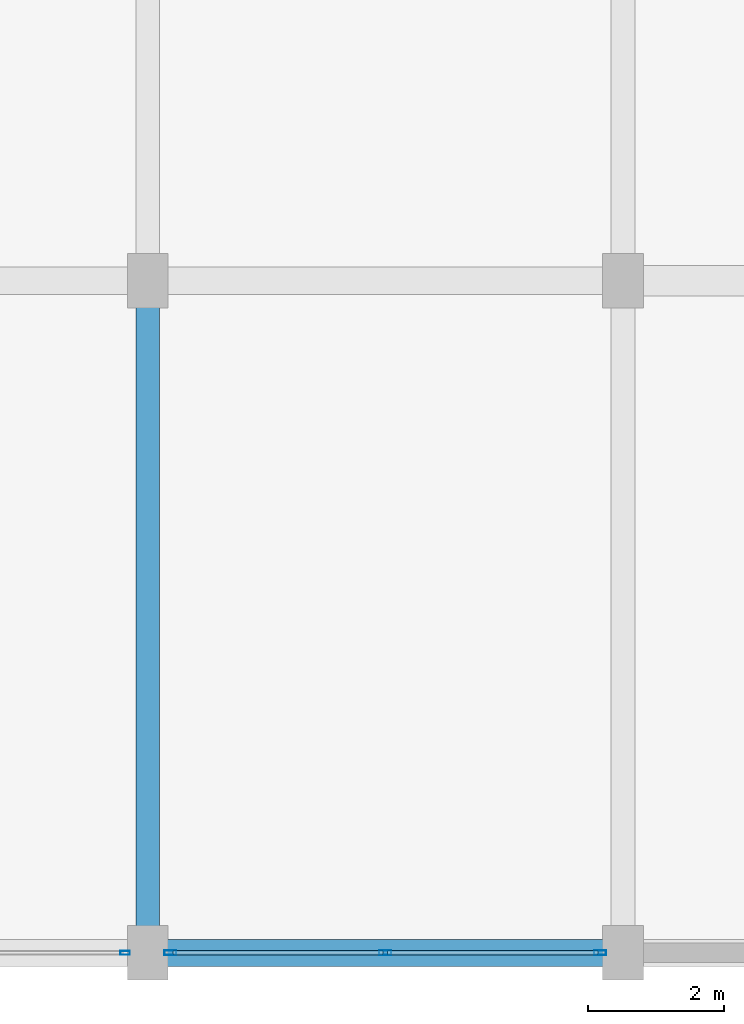
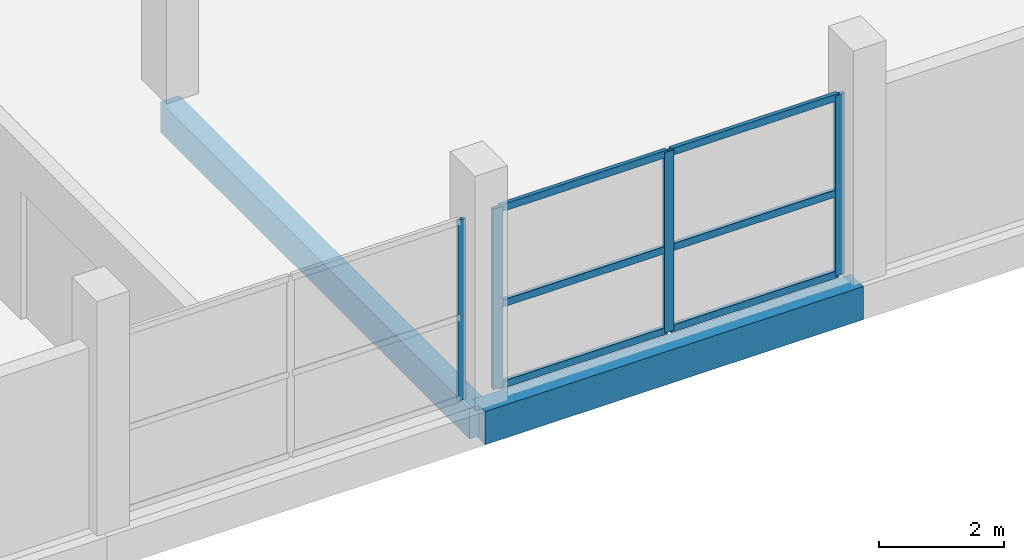
# One storey, part 4 of 55: 10 members, 2 beams, 2 elements without a shape of their own.
"""IFC4 building model written with IfcOpenShell, lengths in metres."""

from ifc_helpers import new_model, si_unit, direction, frame, origin, origin_2d, place, context, subcontext, project, spatial, rectangle, hollow_rectangle, extrude, material, layer, layer_set, material_profile, profile_set, type_object, element, aggregate, save


model = new_model("IFC4")

# Units and contexts
model_context = context("Model", 3, precision=1e-05, world=origin(), true_north=direction((0.0, 1.0)))
body_context = subcontext(model_context, "Body", "Model", "MODEL_VIEW")
ifc_project = project(units=[si_unit("LENGTHUNIT", "METRE"), si_unit("AREAUNIT", "SQUARE_METRE"), si_unit("VOLUMEUNIT", "CUBIC_METRE"), si_unit("PLANEANGLEUNIT", "RADIAN"), si_unit("MASSUNIT", "GRAM", prefix="KILO")], contexts=[model_context])

# Site, building, storey
site_placement = place(None, origin())
site = spatial("IfcSite", under=ifc_project, at=site_placement, CompositionType="ELEMENT")
building_placement = place(site_placement, origin())
building = spatial("IfcBuilding", under=site, at=building_placement, Name="Sillaruma Civic Art Gallery", CompositionType="ELEMENT")
storey_placement = place(building_placement, frame((0.0, 0.0, 37.739990234375)))
storey = spatial("IfcBuildingStorey", under=building, at=storey_placement, Name="L07", CompositionType="ELEMENT", Elevation=37.739990234375)

# Beams
ifc_material_1 = material(Name="Concrete H35 (35 MPa)", Category="concrete")
ifc_material_profile_1 = material_profile(ifc_material_1, rectangle(XDim=0.35009765625, YDim=0.60009765625, at=origin_2d()), Name="RCB350x600")
ifc_profile_set_1 = profile_set([ifc_material_profile_1], Name="Concrete H35 (35 MPa)")
beam_type_1 = type_object("IfcBeamType", Name="BM-BEAM-RCB350x600", PredefinedType="BEAM", material=ifc_profile_set_1)
beam_1_placement = place(storey_placement, frame((77.0, 19.800048828125, -0.5400390625), z_axis=(0.0, 1.0, 0.0), x_axis=(-1.0, 0.0, 0.0)))
element("IfcBeam", 1, at=beam_1_placement, inside=storey, type_object=beam_type_1, Name="Beam BM-06 (L06:H:3-4)", PredefinedType="BEAM", context=body_context, shape_type="SweptSolid", body=[
    extrude(rectangle(XDim=0.35009765625, YDim=0.60009765625, at=origin_2d()), origin(), (0.0, 0.0, 1.0), 9.89990234375),
])
ifc_material_profile_2 = material_profile(ifc_material_1, rectangle(XDim=0.39990234375, YDim=0.64990234375, at=origin_2d()), Name="RCB400x650")
ifc_profile_set_2 = profile_set([ifc_material_profile_2], Name="Concrete H35 (35 MPa)")
beam_type_2 = type_object("IfcBeamType", Name="BM-SPANDREL-RCB400x650", PredefinedType="SPANDREL", material=ifc_profile_set_2)
beam_2_placement = place(storey_placement, frame((77.0, 19.800048828125, -0.56494140625), z_axis=(1.0, 0.0, 0.0), x_axis=(0.0, 1.0, 0.0)))
element("IfcBeam", 2, at=beam_2_placement, inside=storey, type_object=beam_type_2, Name="Beam BS-02 (L06:3:H-J)", PredefinedType="SPANDREL", context=body_context, shape_type="SweptSolid", body=[
    extrude(rectangle(XDim=0.39990234375, YDim=0.64990234375, at=origin_2d()), origin(), (0.0, 0.0, 1.0), 7.0),
])

# Curtain wall, member
ifc_material_2 = material(Name="Thermally Broken Extruded Aluminium 6063-T6", Category="aluminium")
ifc_layer_1 = layer(ifc_material_2, 0.139892578125, Name="Thermally Broken Extruded Aluminium 6063-T6")
ifc_layer_set_1 = layer_set([ifc_layer_1], Name="Thermally Broken Extruded Aluminium 6063-T6")
curtain_wall_type_1 = type_object("IfcCurtainWallType", Name="CW-UNI-50", PredefinedType="NOTDEFINED", material=ifc_layer_set_1)
curtain_wall_1_placement = place(storey_placement, origin())
curtain_wall_1 = element("IfcCurtainWall", 3, at=curtain_wall_1_placement, inside=storey, type_object=curtain_wall_type_1, Name="Unitised Curtain Wall CW-50 (CW-L07-S-2)", PredefinedType="NOTDEFINED")
ifc_material_profile_3 = material_profile(ifc_material_2, hollow_rectangle(XDim=0.06005859375, YDim=0.139892578125, WallThickness=0.00341796875, at=origin_2d()), Name="CWM60x140")
ifc_profile_set_3 = profile_set([ifc_material_profile_3], Name="Thermally Broken Extruded Aluminium 6063-T6")
member_type_1 = type_object("IfcMemberType", Name="MEM-MUL-CWM60x140", PredefinedType="MULLION", material=ifc_profile_set_3)
member_1_placement = place(storey_placement, frame((76.669921875, 19.800048828125, 0.0), z_axis=(0.0, 0.0, 1.0), x_axis=(0.0, 1.0, 0.0)))
member_1 = element("IfcMember", 4, at=member_1_placement, type_object=member_type_1, Name="CW-50 mullion 3", PredefinedType="MULLION", context=body_context, shape_type="SweptSolid", body=[
    extrude(hollow_rectangle(XDim=0.06005859375, YDim=0.139892578125, WallThickness=0.00341796875, at=origin_2d()), origin(), (0.0, 0.0, 1.0), 3.530029296875),
])
aggregate(curtain_wall_1, [member_1])

# Curtain wall, members
ifc_layer_2 = layer(ifc_material_2, 0.179931640625, Name="Thermally Broken Extruded Aluminium 6063-T6")
ifc_layer_set_2 = layer_set([ifc_layer_2], Name="Thermally Broken Extruded Aluminium 6063-T6")
curtain_wall_type_2 = type_object("IfcCurtainWallType", Name="CW-UNI-51", PredefinedType="NOTDEFINED", material=ifc_layer_set_2)
curtain_wall_2_placement = place(storey_placement, origin())
curtain_wall_2 = element("IfcCurtainWall", 5, at=curtain_wall_2_placement, inside=storey, type_object=curtain_wall_type_2, Name="Unitised Curtain Wall CW-51 (CW-L07-S-3)", PredefinedType="NOTDEFINED")
ifc_material_profile_4 = material_profile(ifc_material_2, hollow_rectangle(XDim=0.070068359375, YDim=0.179931640625, WallThickness=0.00390625, at=origin_2d()), Name="CWM70x180")
ifc_profile_set_4 = profile_set([ifc_material_profile_4], Name="Thermally Broken Extruded Aluminium 6063-T6")
member_type_2 = type_object("IfcMemberType", Name="MEM-MUL-CWM70x180", PredefinedType="MULLION", material=ifc_profile_set_4)
member_2_placement = place(storey_placement, frame((77.3349609375, 19.800048828125, 0.0), z_axis=(0.0, 0.0, 1.0), x_axis=(0.0, 1.0, 0.0)))
member_2 = element("IfcMember", 6, at=member_2_placement, type_object=member_type_2, Name="CW-51 mullion 1", PredefinedType="MULLION", context=body_context, shape_type="SweptSolid", body=[
    extrude(hollow_rectangle(XDim=0.070068359375, YDim=0.179931640625, WallThickness=0.00390625, at=origin_2d()), origin(), (0.0, 0.0, 1.0), 3.530029296875),
])
member_3_placement = place(storey_placement, frame((80.5, 19.800048828125, 0.0), z_axis=(0.0, 0.0, 1.0), x_axis=(0.0, 1.0, 0.0)))
member_3 = element("IfcMember", 7, at=member_3_placement, type_object=member_type_2, Name="CW-51 mullion 2", PredefinedType="MULLION", context=body_context, shape_type="SweptSolid", body=[
    extrude(hollow_rectangle(XDim=0.070068359375, YDim=0.179931640625, WallThickness=0.00390625, at=origin_2d()), origin(), (0.0, 0.0, 1.0), 3.530029296875),
])
member_4_placement = place(storey_placement, frame((83.6650390625, 19.800048828125, 0.0), z_axis=(0.0, 0.0, 1.0), x_axis=(0.0, 1.0, 0.0)))
member_4 = element("IfcMember", 8, at=member_4_placement, type_object=member_type_2, Name="CW-51 mullion 3", PredefinedType="MULLION", context=body_context, shape_type="SweptSolid", body=[
    extrude(hollow_rectangle(XDim=0.070068359375, YDim=0.179931640625, WallThickness=0.00390625, at=origin_2d()), origin(), (0.0, 0.0, 1.0), 3.530029296875),
])
ifc_material_profile_5 = material_profile(ifc_material_2, hollow_rectangle(XDim=0.070068359375, YDim=0.139892578125, WallThickness=0.00390625, at=origin_2d()), Name="CWT70x140")
ifc_profile_set_5 = profile_set([ifc_material_profile_5], Name="Thermally Broken Extruded Aluminium 6063-T6")
member_type_3 = type_object("IfcMemberType", Name="MEM-TRN-CWT70x140", PredefinedType="USERDEFINED", material=ifc_profile_set_5)
member_5_placement = place(storey_placement, frame((77.3701171875, 19.800048828125, 0.034912109375), z_axis=(1.0, 0.0, 0.0), x_axis=(0.0, 1.0, 0.0)))
member_5 = element("IfcMember", 9, at=member_5_placement, type_object=member_type_3, Name="CW-51 transom 1.1", ObjectType="TRANSOM", PredefinedType="USERDEFINED", context=body_context, shape_type="SweptSolid", body=[
    extrude(hollow_rectangle(XDim=0.070068359375, YDim=0.139892578125, WallThickness=0.00390625, at=origin_2d()), origin(), (0.0, 0.0, 1.0), 3.094970703125),
])
member_6_placement = place(storey_placement, frame((77.3701171875, 19.800048828125, 1.623779296875), z_axis=(1.0, 0.0, 0.0), x_axis=(0.0, 1.0, 0.0)))
member_6 = element("IfcMember", 10, at=member_6_placement, type_object=member_type_3, Name="CW-51 transom 1.2", ObjectType="TRANSOM", PredefinedType="USERDEFINED", context=body_context, shape_type="SweptSolid", body=[
    extrude(hollow_rectangle(XDim=0.070068359375, YDim=0.139892578125, WallThickness=0.00390625, at=origin_2d()), origin(), (0.0, 0.0, 1.0), 3.094970703125),
])
member_7_placement = place(storey_placement, frame((77.3701171875, 19.800048828125, 3.4951171875), z_axis=(1.0, 0.0, 0.0), x_axis=(0.0, 1.0, 0.0)))
member_7 = element("IfcMember", 11, at=member_7_placement, type_object=member_type_3, Name="CW-51 transom 1.3", ObjectType="TRANSOM", PredefinedType="USERDEFINED", context=body_context, shape_type="SweptSolid", body=[
    extrude(hollow_rectangle(XDim=0.070068359375, YDim=0.139892578125, WallThickness=0.00390625, at=origin_2d()), origin(), (0.0, 0.0, 1.0), 3.094970703125),
])
member_8_placement = place(storey_placement, frame((80.534912109375, 19.800048828125, 0.034912109375), z_axis=(1.0, 0.0, 0.0), x_axis=(0.0, 1.0, 0.0)))
member_8 = element("IfcMember", 12, at=member_8_placement, type_object=member_type_3, Name="CW-51 transom 2.1", ObjectType="TRANSOM", PredefinedType="USERDEFINED", context=body_context, shape_type="SweptSolid", body=[
    extrude(hollow_rectangle(XDim=0.070068359375, YDim=0.139892578125, WallThickness=0.00390625, at=origin_2d()), origin(), (0.0, 0.0, 1.0), 3.094970703125),
])
member_9_placement = place(storey_placement, frame((80.534912109375, 19.800048828125, 1.623779296875), z_axis=(1.0, 0.0, 0.0), x_axis=(0.0, 1.0, 0.0)))
member_9 = element("IfcMember", 13, at=member_9_placement, type_object=member_type_3, Name="CW-51 transom 2.2", ObjectType="TRANSOM", PredefinedType="USERDEFINED", context=body_context, shape_type="SweptSolid", body=[
    extrude(hollow_rectangle(XDim=0.070068359375, YDim=0.139892578125, WallThickness=0.00390625, at=origin_2d()), origin(), (0.0, 0.0, 1.0), 3.094970703125),
])
member_10_placement = place(storey_placement, frame((80.534912109375, 19.800048828125, 3.4951171875), z_axis=(1.0, 0.0, 0.0), x_axis=(0.0, 1.0, 0.0)))
member_10 = element("IfcMember", 14, at=member_10_placement, type_object=member_type_3, Name="CW-51 transom 2.3", ObjectType="TRANSOM", PredefinedType="USERDEFINED", context=body_context, shape_type="SweptSolid", body=[
    extrude(hollow_rectangle(XDim=0.070068359375, YDim=0.139892578125, WallThickness=0.00390625, at=origin_2d()), origin(), (0.0, 0.0, 1.0), 3.094970703125),
])
aggregate(curtain_wall_2, [member_2, member_3, member_4, member_5, member_6, member_7, member_8, member_9, member_10])

save(model, "model.ifc")
